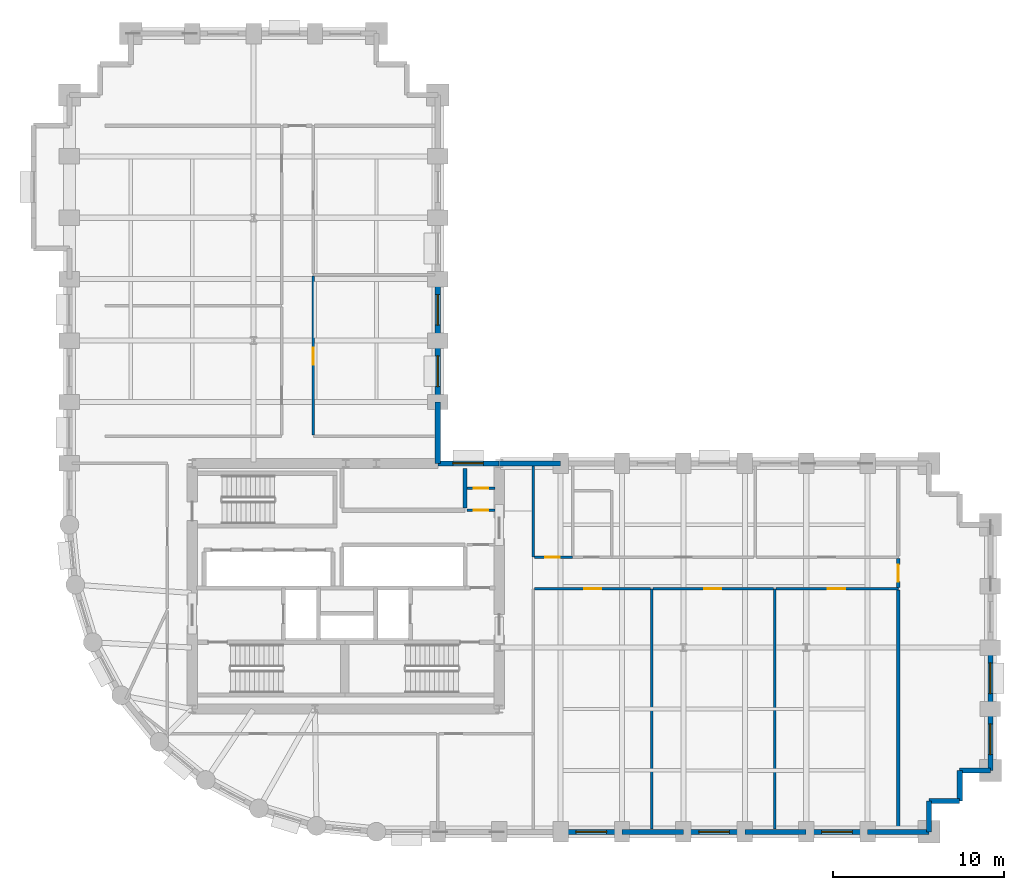
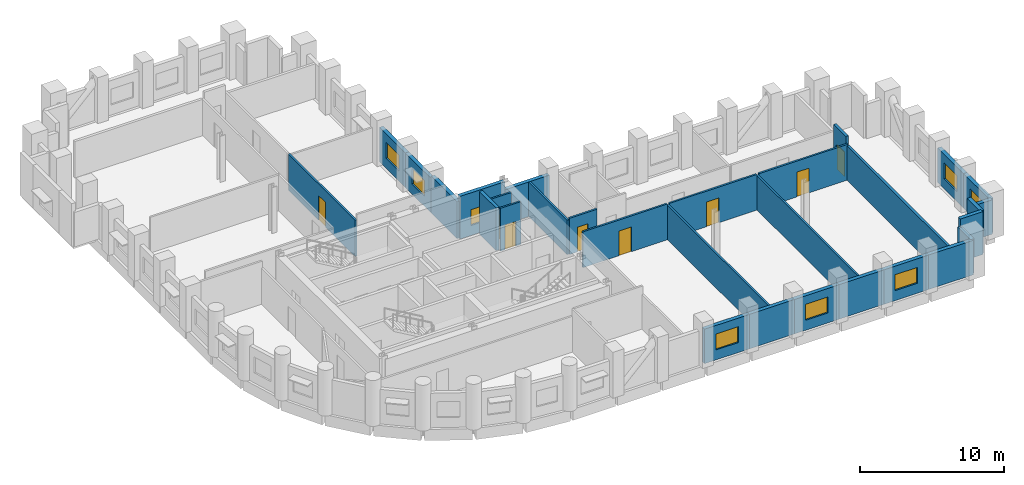
# One storey, part 7 of 11: 30 walls, 8 doors, 8 windows, 16 openings.
"""IFC4 building model written with IfcOpenShell, lengths in metres."""

import ifcopenshell
import ifcopenshell.guid

model = None  # the IFC model being written
_history = None  # IfcOwnerHistory: only IFC2X3 demands one
_inside = {}  # id of a spatial element -> (the spatial element, [elements in it])
_under = {}  # id of a project, library or spatial element -> (it, [spatial elements below it])
_declared = {}  # id of a project -> (the project, [libraries it declares])
_typed = {}  # id of a type object -> (the type object, [elements of that type])
_made_of = {}  # id of a material, layer set ... -> (it, [elements and type objects made of it])


def new_model(schema):
    """Start an empty IFC model of exactly this schema.

    Asked for "IFC4X3", IfcOpenShell would pick the latest addendum, in which some entities
    have other attributes; the version numbers below select the first issue.
    IFC2X3 requires an IfcOwnerHistory on every rooted entity: one is made here for all.
    """
    global model, _history
    if schema == "IFC4X3":
        model = ifcopenshell.file(schema_version=(4, 3, 0, 0))
    else:
        model = ifcopenshell.file(schema=schema)
    _inside.clear()
    _under.clear()
    _declared.clear()
    _typed.clear()
    _made_of.clear()
    _history = None
    if model.schema == "IFC2X3":
        org = make("IfcOrganization", Name="unknown")
        user = make(
            "IfcPersonAndOrganization",
            ThePerson=make("IfcPerson", FamilyName="unknown"),
            TheOrganization=org,
        )
        app = make(
            "IfcApplication",
            ApplicationDeveloper=org,
            Version="unknown",
            ApplicationFullName="unknown",
            ApplicationIdentifier="unknown",
        )
        _history = make(
            "IfcOwnerHistory",
            OwningUser=user,
            OwningApplication=app,
            ChangeAction="ADDED",
            CreationDate=0,
        )
    return model


def make(cls, **values):
    """One entity of the class cls with the attributes given. An attribute that is None is left unset."""
    return model.create_entity(
        cls, **{name: value for name, value in values.items() if value is not None}
    )


def rooted(cls, **values):
    """An entity with a GlobalId (a new one), such as an element, a storey or a relation."""
    return make(cls, GlobalId=ifcopenshell.guid.new(), OwnerHistory=_history, **values)


def si_unit(unit_type, name, prefix=None):
    """IfcSIUnit, for example si_unit("LENGTHUNIT", "METRE", prefix="MILLI")."""
    return make("IfcSIUnit", UnitType=unit_type, Prefix=prefix, Name=name)


def assignment(units):
    """IfcUnitAssignment: the units of a project."""
    return None if units is None else make("IfcUnitAssignment", Units=units)


def point(xyz):
    """IfcCartesianPoint."""
    return None if xyz is None else make("IfcCartesianPoint", Coordinates=xyz)


def direction(xyz):
    """IfcDirection."""
    return None if xyz is None else make("IfcDirection", DirectionRatios=xyz)


def frame(location, z_axis=None, x_axis=None):
    """IfcAxis2Placement3D, a coordinate frame: its origin and axes. An axis left out is left unset."""
    return make(
        "IfcAxis2Placement3D",
        Location=point(location),
        Axis=direction(z_axis),
        RefDirection=direction(x_axis),
    )


def frame_2d(location, x_axis=None):
    """IfcAxis2Placement2D, a coordinate frame in the plane: its origin and x axis."""
    return make(
        "IfcAxis2Placement2D", Location=point(location), RefDirection=direction(x_axis)
    )


def origin():
    """The frame at (0, 0, 0) with its axes left unset."""
    return frame((0.0, 0.0, 0.0))


def place(relative_to, where):
    """IfcLocalPlacement: puts the frame where relative to a parent placement (None: the world)."""
    return make(
        "IfcLocalPlacement", PlacementRelTo=relative_to, RelativePlacement=where
    )


def context(
    kind, dimensions, precision=None, world=None, true_north=None, identifier=None
):
    """IfcGeometricRepresentationContext, for example the 3D "Model" context."""
    return make(
        "IfcGeometricRepresentationContext",
        ContextIdentifier=identifier,
        ContextType=kind,
        CoordinateSpaceDimension=dimensions,
        Precision=precision,
        WorldCoordinateSystem=world,
        TrueNorth=true_north,
    )


def subcontext(parent, identifier, kind, view, scale=None):
    """IfcGeometricRepresentationSubContext, for example "Body" below "Model"."""
    return make(
        "IfcGeometricRepresentationSubContext",
        ContextIdentifier=identifier,
        ContextType=kind,
        ParentContext=parent,
        TargetScale=scale,
        TargetView=view,
    )


def project(units=None, contexts=None):
    """IfcProject with its units and contexts."""
    return rooted(
        "IfcProject",
        Name="project",
        RepresentationContexts=contexts,
        UnitsInContext=assignment(units),
    )


def spatial(cls, under=None, at=None, **own):
    """A site, building, storey or space (cls), placed at a placement, below another one or the project."""
    s = rooted(cls, ObjectPlacement=at, **own)
    if under is not None:
        _under.setdefault(under.id(), (under, []))[1].append(s)
    return s


def profile(cls, at=None, kind="AREA", **sizes):
    """A parametric profile (cls). Its sizes go by their IFC names, for example OverallWidth=200.0."""
    return make(cls, ProfileType=kind, Position=at, **sizes)


def rectangle(**sizes):
    """IfcRectangleProfileDef."""
    return profile("IfcRectangleProfileDef", **sizes)


def extrude(swept, where, along, depth):
    """IfcExtrudedAreaSolid: the profile swept, set in the frame where, extruded along a direction by depth."""
    return make(
        "IfcExtrudedAreaSolid",
        SweptArea=swept,
        Position=where,
        ExtrudedDirection=direction(along),
        Depth=depth,
    )


def shape(context_of_items, identifier, shape_type, items):
    """IfcShapeRepresentation: the items that make up one representation, for example the "Body"."""
    return make(
        "IfcShapeRepresentation",
        ContextOfItems=context_of_items,
        RepresentationIdentifier=identifier,
        RepresentationType=shape_type,
        Items=items,
    )


def material(Name=None, Category=None):
    """IfcMaterial."""
    return make("IfcMaterial", Name=Name, Category=Category)


def layer(
    of_material, thickness, ventilated=None, Name=None, Category=None, Priority=None
):
    """IfcMaterialLayer: one layer of a wall or slab, of a material (None: an air gap)."""
    return make(
        "IfcMaterialLayer",
        Material=of_material,
        LayerThickness=thickness,
        IsVentilated=ventilated,
        Name=Name,
        Category=Category,
        Priority=Priority,
    )


def layer_set(layers, Name=None):
    """IfcMaterialLayerSet."""
    return make("IfcMaterialLayerSet", MaterialLayers=layers, LayerSetName=Name)


def made_of(thing, what):
    """Note that an element or type object is made of a material, layer set ...; save() writes the relation."""
    if what is not None:
        _made_of.setdefault(what.id(), (what, []))[1].append(thing)
    return thing


def type_object(cls, material=None, **own):
    """A type object (cls), such as IfcWallType, which elements share."""
    return made_of(rooted(cls, **own), material)


def element(
    cls,
    number,
    at=None,
    inside=None,
    cuts=None,
    type_object=None,
    material=None,
    context=None,
    identifier="Body",
    shape_type=None,
    held_by="IfcProductDefinitionShape",
    body=None,
    shapes=None,
    **own,
):
    """One element of the class cls, such as IfcWall. Its Tag is "e" and its number.

    at: its placement. inside: the storey or other place that contains it. cuts: it is an
    opening in that element (IfcRelVoidsElement). A single representation is given by context,
    identifier, shape_type and body (its items); several are given by shapes. held_by: the class
    of the entity that holds the representations. save() writes the other relations.
    """
    e = rooted(cls, Tag="e%d" % number, ObjectPlacement=at, **own)
    if body is not None:
        shapes = [shape(context, identifier, shape_type, body)]
    if shapes is not None:
        e.Representation = make(held_by, Representations=shapes)
    if inside is not None:
        _inside.setdefault(inside.id(), (inside, []))[1].append(e)
    if cuts is not None:
        rooted(
            "IfcRelVoidsElement", RelatingBuildingElement=cuts, RelatedOpeningElement=e
        )
    if type_object is not None:
        _typed.setdefault(type_object.id(), (type_object, []))[1].append(e)
    return made_of(e, material)


def fill(opening, filler):
    """IfcRelFillsElement: the door or window that sits in an opening."""
    return rooted(
        "IfcRelFillsElement",
        RelatingOpeningElement=opening,
        RelatedBuildingElement=filler,
    )


def aggregate(whole, parts):
    """IfcRelAggregates: a whole, such as a stair, and the parts it consists of."""
    return rooted("IfcRelAggregates", RelatingObject=whole, RelatedObjects=parts)


def save(model, path):
    """Write the relations noted so far, then the file.

    IfcRelAggregates (storeys below a building ...), IfcRelContainedInSpatialStructure (elements
    in a storey), IfcRelDefinesByType, IfcRelAssociatesMaterial and IfcRelDeclares: one each for
    every whole, place, type object, material and project.
    """
    for whole, parts in _under.values():
        aggregate(whole, parts)
    for where, things in _inside.values():
        rooted(
            "IfcRelContainedInSpatialStructure",
            RelatedElements=things,
            RelatingStructure=where,
        )
    for kind, things in _typed.values():
        rooted("IfcRelDefinesByType", RelatedObjects=things, RelatingType=kind)
    for what, things in _made_of.values():
        rooted("IfcRelAssociatesMaterial", RelatedObjects=things, RelatingMaterial=what)
    for by, libraries in _declared.values():
        rooted("IfcRelDeclares", RelatingContext=by, RelatedDefinitions=libraries)
    model.write(path)


model = new_model("IFC4")

# Units and contexts
model_context = context("Model", 3, precision=1e-05, world=origin(), true_north=direction((0.0, 1.0)))
body_context = subcontext(model_context, "Body", "Model", "MODEL_VIEW")
ifc_project = project(units=[si_unit("LENGTHUNIT", "METRE"), si_unit("AREAUNIT", "SQUARE_METRE"), si_unit("VOLUMEUNIT", "CUBIC_METRE"), si_unit("PLANEANGLEUNIT", "RADIAN"), si_unit("MASSUNIT", "GRAM", prefix="KILO")], contexts=[model_context])

# Site, building, storey
site_placement = place(None, origin())
site = spatial("IfcSite", under=ifc_project, at=site_placement, CompositionType="ELEMENT")
building_placement = place(site_placement, origin())
building = spatial("IfcBuilding", under=site, at=building_placement, Name="Solnavia Interchange Tower", CompositionType="ELEMENT")
storey_placement = place(building_placement, frame((0.0, 0.0, 47.39990234375)))
storey = spatial("IfcBuildingStorey", under=building, at=storey_placement, Name="L11", CompositionType="ELEMENT", Elevation=47.39990234375)

# Wall
ifc_material_1 = material(Name="Gypsum Acoustic Twin-Stud & Mineral Wool", Category="gypsum")
ifc_layer_1 = layer(ifc_material_1, 0.199951171875)
ifc_layer_set_1 = layer_set([ifc_layer_1], Name="Gypsum Acoustic Twin-Stud & Mineral Wool")
wall_type_1 = type_object("IfcWallType", Name="Wall-ApartmentParty-200", PredefinedType="PARTITIONING", material=ifc_layer_set_1)
wall_1_placement = place(storey_placement, frame((55.800048828125, 3.75390625, 0.0), z_axis=(0.0, 0.0, 1.0), x_axis=(0.0, 1.0, 0.0)))
element("IfcWall", 1, at=wall_1_placement, inside=storey, type_object=wall_type_1, Name="PTW-L11-24 Interior partition wall", PredefinedType="PARTITIONING", context=body_context, shape_type="SweptSolid", body=[
    extrude(rectangle(XDim=14.01708984375, YDim=0.199951171875, at=frame_2d((7.008544921875, 0.0))), origin(), (0.0, 0.0, 1.0), 2.93017578125),
])

# Wall, opening, door
wall_2_placement = place(storey_placement, frame((55.800048828125, 17.928955078125, 0.0), z_axis=(0.0, 0.0, 1.0), x_axis=(0.0, 1.0, 0.0)))
wall_2 = element("IfcWall", 2, at=wall_2_placement, inside=storey, type_object=wall_type_1, Name="PTW-L11-26 Interior partition wall", PredefinedType="PARTITIONING", context=body_context, shape_type="SweptSolid", body=[
    extrude(rectangle(XDim=1.692138671875, YDim=0.199951171875, at=frame_2d((0.84619140625, 0.0))), origin(), (0.0, 0.0, 1.0), 3.635009765625),
])
opening_1_placement = place(wall_2_placement, frame((0.339111328125, 0.0, 0.0)))
opening_1 = element("IfcOpeningElement", 3, at=opening_1_placement, cuts=wall_2, Name="Opening DR-06", PredefinedType="OPENING", context=body_context, shape_type="SweptSolid", body=[
    extrude(rectangle(XDim=1.0, YDim=2.10009765625, at=frame_2d((0.5, 1.050048828125))), frame((0.0, 0.10986328125, 0.0), z_axis=(0.0, -1.0, 0.0), x_axis=(1.0, 0.0, 0.0)), (0.0, 0.0, 1.0), 0.219970703125),
])
ifc_material_2 = material(Name="Engineered Timber Acoustic Fire Door", Category="wood")
door_type_1 = type_object("IfcDoorType", Name="Door-FlatEntry-1000x2100", OperationType="SINGLE_SWING_LEFT", PredefinedType="DOOR", material=ifc_material_2)
door_1_placement = place(opening_1_placement, origin())
door_1 = element("IfcDoor", 4, at=door_1_placement, inside=storey, type_object=door_type_1, Name="DR-L11-12 Interior room door", OperationType="SINGLE_SWING_RIGHT", OverallHeight=2.10009765625, OverallWidth=1.0, PredefinedType="DOOR", context=body_context, shape_type="SweptSolid", body=[
    extrude(rectangle(XDim=1.0, YDim=2.10009765625, at=frame_2d((0.5, 1.050048828125))), frame((0.0, 0.02490234375, 0.0), z_axis=(0.0, -1.0, 0.0), x_axis=(1.0, 0.0, 0.0)), (0.0, 0.0, 1.0), 0.050048828125),
])
fill(opening_1, door_1)

# Wall, opening, window
ifc_material_3 = material(Name="Concrete C40/50", Category="concrete")
ifc_layer_2 = layer(ifc_material_3, 0.300048828125)
ifc_layer_set_2 = layer_set([ifc_layer_2], Name="Concrete C40/50")
wall_type_2 = type_object("IfcWallType", Name="Wall-ExtSpandrel-300", PredefinedType="STANDARD", material=ifc_layer_set_2)
wall_3_placement = place(storey_placement, frame((39.60009765625, 3.60009765625, 0.0), z_axis=(0.0, 0.0, 1.0), x_axis=(-1.0, 0.0, 0.0)))
wall_3 = element("IfcWall", 5, at=wall_3_placement, inside=storey, type_object=wall_type_2, Name="EXW-L11-04 Exterior precast spandrel wall", PredefinedType="STANDARD", context=body_context, shape_type="SweptSolid", body=[
    extrude(rectangle(XDim=3.60009765625, YDim=0.300048828125, at=frame_2d((1.800048828125, 0.0))), origin(), (0.0, 0.0, 1.0), 2.93017578125),
])
opening_2_placement = place(wall_3_placement, frame((0.89990234375, 0.0, 0.85009765625)))
opening_2 = element("IfcOpeningElement", 6, at=opening_2_placement, cuts=wall_3, Name="Opening WIN-02", PredefinedType="OPENING", context=body_context, shape_type="SweptSolid", body=[
    extrude(rectangle(XDim=1.800048828125, YDim=1.35009765625, at=frame_2d((0.89990234375, 0.675048828125))), frame((0.0, 0.16015625, 0.0), z_axis=(0.0, -1.0, 0.0), x_axis=(1.0, 0.0, 0.0)), (0.0, 0.0, 1.0), 0.320068359375),
])
ifc_material_4 = material(Name="Thermal-Break Aluminium & Low-E Glass", Category="aluminium")
window_type = type_object("IfcWindowType", Name="Window-Ribbon-1800x1350", PartitioningType="SINGLE_PANEL", PredefinedType="WINDOW", material=ifc_material_4)
window_1_placement = place(opening_2_placement, origin())
window_1 = element("IfcWindow", 7, at=window_1_placement, inside=storey, type_object=window_type, Name="WIN-L11-04 Facade ribbon window", OverallHeight=1.35009765625, OverallWidth=1.800048828125, PartitioningType="SINGLE_PANEL", PredefinedType="WINDOW", context=body_context, shape_type="SweptSolid", body=[
    extrude(rectangle(XDim=1.800048828125, YDim=1.35009765625, at=frame_2d((0.89990234375, 0.675048828125))), frame((0.0, 0.030029296875, 0.0), z_axis=(0.0, -1.0, 0.0), x_axis=(1.0, 0.0, 0.0)), (0.0, 0.0, 1.0), 0.06005859375),
])
fill(opening_2, window_1)

# Wall
wall_4_placement = place(storey_placement, frame((43.199951171875, 3.60009765625, 0.0), z_axis=(0.0, 0.0, 1.0), x_axis=(-1.0, 0.0, 0.0)))
element("IfcWall", 8, at=wall_4_placement, inside=storey, type_object=wall_type_2, Name="EXW-L11-05 Exterior precast spandrel wall", PredefinedType="STANDARD", context=body_context, shape_type="SweptSolid", body=[
    extrude(rectangle(XDim=3.599853515625, YDim=0.300048828125, at=frame_2d((1.7998046875, 0.0))), origin(), (0.0, 0.0, 1.0), 2.93017578125),
])

# Wall, opening, window
wall_5_placement = place(storey_placement, frame((46.800048828125, 3.60009765625, 0.0), z_axis=(0.0, 0.0, 1.0), x_axis=(-1.0, 0.0, 0.0)))
wall_5 = element("IfcWall", 9, at=wall_5_placement, inside=storey, type_object=wall_type_2, Name="EXW-L11-06 Exterior precast spandrel wall", PredefinedType="STANDARD", context=body_context, shape_type="SweptSolid", body=[
    extrude(rectangle(XDim=3.60009765625, YDim=0.300048828125, at=frame_2d((1.800048828125, 0.0))), origin(), (0.0, 0.0, 1.0), 2.93017578125),
])
opening_3_placement = place(wall_5_placement, frame((0.89990234375, 0.0, 0.85009765625)))
opening_3 = element("IfcOpeningElement", 10, at=opening_3_placement, cuts=wall_5, Name="Opening WIN-02", PredefinedType="OPENING", context=body_context, shape_type="SweptSolid", body=[
    extrude(rectangle(XDim=1.800048828125, YDim=1.35009765625, at=frame_2d((0.89990234375, 0.675048828125))), frame((0.0, 0.16015625, 0.0), z_axis=(0.0, -1.0, 0.0), x_axis=(1.0, 0.0, 0.0)), (0.0, 0.0, 1.0), 0.320068359375),
])
window_2_placement = place(opening_3_placement, origin())
window_2 = element("IfcWindow", 11, at=window_2_placement, inside=storey, type_object=window_type, Name="WIN-L11-06 Facade ribbon window", OverallHeight=1.35009765625, OverallWidth=1.800048828125, PartitioningType="SINGLE_PANEL", PredefinedType="WINDOW", context=body_context, shape_type="SweptSolid", body=[
    extrude(rectangle(XDim=1.800048828125, YDim=1.35009765625, at=frame_2d((0.89990234375, 0.675048828125))), frame((0.0, 0.030029296875, 0.0), z_axis=(0.0, -1.0, 0.0), x_axis=(1.0, 0.0, 0.0)), (0.0, 0.0, 1.0), 0.06005859375),
])
fill(opening_3, window_2)

# Wall
wall_6_placement = place(storey_placement, frame((50.39990234375, 3.60009765625, 0.0), z_axis=(0.0, 0.0, 1.0), x_axis=(-1.0, 0.0, 0.0)))
element("IfcWall", 12, at=wall_6_placement, inside=storey, type_object=wall_type_2, Name="EXW-L11-07 Exterior precast spandrel wall", PredefinedType="STANDARD", context=body_context, shape_type="SweptSolid", body=[
    extrude(rectangle(XDim=3.599853515625, YDim=0.300048828125, at=frame_2d((1.7998046875, 0.0))), origin(), (0.0, 0.0, 1.0), 2.93017578125),
])

# Wall, opening, window
wall_7_placement = place(storey_placement, frame((54.0, 3.60009765625, 0.0), z_axis=(0.0, 0.0, 1.0), x_axis=(-1.0, 0.0, 0.0)))
wall_7 = element("IfcWall", 13, at=wall_7_placement, inside=storey, type_object=wall_type_2, Name="EXW-L11-08 Exterior precast spandrel wall", PredefinedType="STANDARD", context=body_context, shape_type="SweptSolid", body=[
    extrude(rectangle(XDim=3.60009765625, YDim=0.300048828125, at=frame_2d((1.800048828125, 0.0))), origin(), (0.0, 0.0, 1.0), 2.93017578125),
])
opening_4_placement = place(wall_7_placement, frame((0.89990234375, 0.0, 0.85009765625)))
opening_4 = element("IfcOpeningElement", 14, at=opening_4_placement, cuts=wall_7, Name="Opening WIN-02", PredefinedType="OPENING", context=body_context, shape_type="SweptSolid", body=[
    extrude(rectangle(XDim=1.800048828125, YDim=1.35009765625, at=frame_2d((0.89990234375, 0.675048828125))), frame((0.0, 0.16015625, 0.0), z_axis=(0.0, -1.0, 0.0), x_axis=(1.0, 0.0, 0.0)), (0.0, 0.0, 1.0), 0.320068359375),
])
window_3_placement = place(opening_4_placement, origin())
window_3 = element("IfcWindow", 15, at=window_3_placement, inside=storey, type_object=window_type, Name="WIN-L11-08 Facade ribbon window", OverallHeight=1.35009765625, OverallWidth=1.800048828125, PartitioningType="SINGLE_PANEL", PredefinedType="WINDOW", context=body_context, shape_type="SweptSolid", body=[
    extrude(rectangle(XDim=1.800048828125, YDim=1.35009765625, at=frame_2d((0.89990234375, 0.675048828125))), frame((0.0, 0.030029296875, 0.0), z_axis=(0.0, -1.0, 0.0), x_axis=(1.0, 0.0, 0.0)), (0.0, 0.0, 1.0), 0.06005859375),
])
fill(opening_4, window_3)

# Walls
wall_8_placement = place(storey_placement, frame((57.60009765625, 3.60009765625, 0.0), z_axis=(0.0, 0.0, 1.0), x_axis=(-1.0, 0.0, 0.0)))
element("IfcWall", 16, at=wall_8_placement, inside=storey, type_object=wall_type_2, Name="EXW-L11-09 Exterior precast spandrel wall", PredefinedType="STANDARD", context=body_context, shape_type="SweptSolid", body=[
    extrude(rectangle(XDim=3.60009765625, YDim=0.300048828125, at=frame_2d((1.800048828125, 0.0))), origin(), (0.0, 0.0, 1.0), 2.93017578125),
])
wall_9_placement = place(storey_placement, frame((57.60009765625, 5.39990234375, 0.0), z_axis=(0.0, 0.0, 1.0), x_axis=(0.0, -1.0, 0.0)))
element("IfcWall", 17, at=wall_9_placement, inside=storey, type_object=wall_type_2, Name="EXW-L11-10 Exterior precast spandrel wall", PredefinedType="STANDARD", context=body_context, shape_type="SweptSolid", body=[
    extrude(rectangle(XDim=1.7998046875, YDim=0.300048828125, at=frame_2d((0.89990234375, 0.0))), origin(), (0.0, 0.0, 1.0), 2.93017578125),
])
wall_10_placement = place(storey_placement, frame((59.39990234375, 5.39990234375, 0.0), z_axis=(0.0, 0.0, 1.0), x_axis=(-1.0, 0.0, 0.0)))
element("IfcWall", 18, at=wall_10_placement, inside=storey, type_object=wall_type_2, Name="EXW-L11-11 Exterior precast spandrel wall", PredefinedType="STANDARD", context=body_context, shape_type="SweptSolid", body=[
    extrude(rectangle(XDim=1.7998046875, YDim=0.300048828125, at=frame_2d((0.89990234375, 0.0))), origin(), (0.0, 0.0, 1.0), 3.635009765625),
])
wall_11_placement = place(storey_placement, frame((59.39990234375, 7.199951171875, 0.0), z_axis=(0.0, 0.0, 1.0), x_axis=(0.0, -1.0, 0.0)))
element("IfcWall", 19, at=wall_11_placement, inside=storey, type_object=wall_type_2, Name="EXW-L11-12 Exterior precast spandrel wall", PredefinedType="STANDARD", context=body_context, shape_type="SweptSolid", body=[
    extrude(rectangle(XDim=1.800048828125, YDim=0.300048828125, at=frame_2d((0.89990234375, 0.0))), origin(), (0.0, 0.0, 1.0), 3.635009765625),
])
wall_12_placement = place(storey_placement, frame((61.199951171875, 7.199951171875, 0.0), z_axis=(0.0, 0.0, 1.0), x_axis=(-1.0, 0.0, 0.0)))
element("IfcWall", 20, at=wall_12_placement, inside=storey, type_object=wall_type_2, Name="EXW-L11-13 Exterior precast spandrel wall", PredefinedType="STANDARD", context=body_context, shape_type="SweptSolid", body=[
    extrude(rectangle(XDim=1.800048828125, YDim=0.300048828125, at=frame_2d((0.89990234375, 0.0))), origin(), (0.0, 0.0, 1.0), 2.93017578125),
])

# Wall, opening, window
wall_13_placement = place(storey_placement, frame((61.199951171875, 10.800048828125, 0.0), z_axis=(0.0, 0.0, 1.0), x_axis=(0.0, -1.0, 0.0)))
wall_13 = element("IfcWall", 21, at=wall_13_placement, inside=storey, type_object=wall_type_2, Name="EXW-L11-14 Exterior precast spandrel wall", PredefinedType="STANDARD", context=body_context, shape_type="SweptSolid", body=[
    extrude(rectangle(XDim=3.60009765625, YDim=0.300048828125, at=frame_2d((1.800048828125, 0.0))), origin(), (0.0, 0.0, 1.0), 2.93017578125),
])
opening_5_placement = place(wall_13_placement, frame((0.875, 0.0, 0.85009765625)))
opening_5 = element("IfcOpeningElement", 22, at=opening_5_placement, cuts=wall_13, Name="Opening WIN-02", PredefinedType="OPENING", context=body_context, shape_type="SweptSolid", body=[
    extrude(rectangle(XDim=1.800048828125, YDim=1.35009765625, at=frame_2d((0.89990234375, 0.675048828125))), frame((0.0, 0.16015625, 0.0), z_axis=(0.0, -1.0, 0.0), x_axis=(1.0, 0.0, 0.0)), (0.0, 0.0, 1.0), 0.320068359375),
])
window_4_placement = place(opening_5_placement, origin())
window_4 = element("IfcWindow", 23, at=window_4_placement, inside=storey, type_object=window_type, Name="WIN-L11-14 Facade ribbon window", OverallHeight=1.35009765625, OverallWidth=1.800048828125, PartitioningType="SINGLE_PANEL", PredefinedType="WINDOW", context=body_context, shape_type="SweptSolid", body=[
    extrude(rectangle(XDim=1.800048828125, YDim=1.35009765625, at=frame_2d((0.89990234375, 0.675048828125))), frame((0.0, 0.030029296875, 0.0), z_axis=(0.0, -1.0, 0.0), x_axis=(1.0, 0.0, 0.0)), (0.0, 0.0, 1.0), 0.06005859375),
])
fill(opening_5, window_4)

wall_14_placement = place(storey_placement, frame((61.199951171875, 14.39990234375, 0.0), z_axis=(0.0, 0.0, 1.0), x_axis=(0.0, -1.0, 0.0)))
wall_14 = element("IfcWall", 24, at=wall_14_placement, inside=storey, type_object=wall_type_2, Name="EXW-L11-15 Exterior precast spandrel wall", PredefinedType="STANDARD", context=body_context, shape_type="SweptSolid", body=[
    extrude(rectangle(XDim=3.599853515625, YDim=0.300048828125, at=frame_2d((1.7998046875, 0.0))), origin(), (0.0, 0.0, 1.0), 2.93017578125),
])
opening_6_placement = place(wall_14_placement, frame((0.89990234375, 0.0, 0.85009765625)))
opening_6 = element("IfcOpeningElement", 25, at=opening_6_placement, cuts=wall_14, Name="Opening WIN-02", PredefinedType="OPENING", context=body_context, shape_type="SweptSolid", body=[
    extrude(rectangle(XDim=1.800048828125, YDim=1.35009765625, at=frame_2d((0.89990234375, 0.675048828125))), frame((0.0, 0.16015625, 0.0), z_axis=(0.0, -1.0, 0.0), x_axis=(1.0, 0.0, 0.0)), (0.0, 0.0, 1.0), 0.320068359375),
])
window_5_placement = place(opening_6_placement, origin())
window_5 = element("IfcWindow", 26, at=window_5_placement, inside=storey, type_object=window_type, Name="WIN-L11-15 Facade ribbon window", OverallHeight=1.35009765625, OverallWidth=1.800048828125, PartitioningType="SINGLE_PANEL", PredefinedType="WINDOW", context=body_context, shape_type="SweptSolid", body=[
    extrude(rectangle(XDim=1.800048828125, YDim=1.35009765625, at=frame_2d((0.89990234375, 0.675048828125))), frame((0.0, 0.030029296875, 0.0), z_axis=(0.0, -1.0, 0.0), x_axis=(1.0, 0.0, 0.0)), (0.0, 0.0, 1.0), 0.06005859375),
])
fill(opening_6, window_5)

# Wall
wall_15_placement = place(storey_placement, frame((32.39990234375, 25.199951171875, 0.0), z_axis=(0.0, 0.0, 1.0), x_axis=(1.0, 0.0, 0.0)))
element("IfcWall", 27, at=wall_15_placement, inside=storey, type_object=wall_type_2, Name="EXW-L11-28 Exterior precast spandrel wall", PredefinedType="STANDARD", context=body_context, shape_type="SweptSolid", body=[
    extrude(rectangle(XDim=3.60009765625, YDim=0.300048828125, at=frame_2d((1.800048828125, 0.0))), origin(), (0.0, 0.0, 1.0), 2.93017578125),
])

# Wall, opening, window
wall_16_placement = place(storey_placement, frame((28.800048828125, 25.199951171875, 0.0), z_axis=(0.0, 0.0, 1.0), x_axis=(1.0, 0.0, 0.0)))
wall_16 = element("IfcWall", 28, at=wall_16_placement, inside=storey, type_object=wall_type_2, Name="EXW-L11-29 Exterior precast spandrel wall", PredefinedType="STANDARD", context=body_context, shape_type="SweptSolid", body=[
    extrude(rectangle(XDim=3.599853515625, YDim=0.300048828125, at=frame_2d((1.7998046875, 0.0))), origin(), (0.0, 0.0, 1.0), 3.635009765625),
])
opening_7_placement = place(wall_16_placement, frame((0.8779296875, 0.0, 0.85009765625)))
opening_7 = element("IfcOpeningElement", 29, at=opening_7_placement, cuts=wall_16, Name="Opening WIN-02", PredefinedType="OPENING", context=body_context, shape_type="SweptSolid", body=[
    extrude(rectangle(XDim=1.800048828125, YDim=1.35009765625, at=frame_2d((0.89990234375, 0.675048828125))), frame((0.0, 0.16015625, 0.0), z_axis=(0.0, -1.0, 0.0), x_axis=(1.0, 0.0, 0.0)), (0.0, 0.0, 1.0), 0.320068359375),
])
window_6_placement = place(opening_7_placement, origin())
window_6 = element("IfcWindow", 30, at=window_6_placement, inside=storey, type_object=window_type, Name="WIN-L11-29 Facade ribbon window", OverallHeight=1.35009765625, OverallWidth=1.800048828125, PartitioningType="SINGLE_PANEL", PredefinedType="WINDOW", context=body_context, shape_type="SweptSolid", body=[
    extrude(rectangle(XDim=1.800048828125, YDim=1.35009765625, at=frame_2d((0.89990234375, 0.675048828125))), frame((0.0, 0.030029296875, 0.0), z_axis=(0.0, -1.0, 0.0), x_axis=(1.0, 0.0, 0.0)), (0.0, 0.0, 1.0), 0.06005859375),
])
fill(opening_7, window_6)

# Wall
wall_17_placement = place(storey_placement, frame((28.800048828125, 25.199951171875, 0.0), z_axis=(0.0, 0.0, 1.0), x_axis=(0.0, 1.0, 0.0)))
element("IfcWall", 31, at=wall_17_placement, inside=storey, type_object=wall_type_2, Name="EXW-L11-30 Exterior precast spandrel wall", PredefinedType="STANDARD", context=body_context, shape_type="SweptSolid", body=[
    extrude(rectangle(XDim=3.60009765625, YDim=0.300048828125, at=frame_2d((1.800048828125, 0.0))), origin(), (0.0, 0.0, 1.0), 3.14013671875),
])

# Wall, opening, window
wall_18_placement = place(storey_placement, frame((28.800048828125, 28.800048828125, 0.0), z_axis=(0.0, 0.0, 1.0), x_axis=(0.0, 1.0, 0.0)))
wall_18 = element("IfcWall", 32, at=wall_18_placement, inside=storey, type_object=wall_type_2, Name="EXW-L11-31 Exterior precast spandrel wall", PredefinedType="STANDARD", context=body_context, shape_type="SweptSolid", body=[
    extrude(rectangle(XDim=3.599853515625, YDim=0.300048828125, at=frame_2d((1.7998046875, 0.0))), origin(), (0.0, 0.0, 1.0), 2.93017578125),
])
opening_8_placement = place(wall_18_placement, frame((0.89990234375, 0.0, 0.85009765625)))
opening_8 = element("IfcOpeningElement", 33, at=opening_8_placement, cuts=wall_18, Name="Opening WIN-02", PredefinedType="OPENING", context=body_context, shape_type="SweptSolid", body=[
    extrude(rectangle(XDim=1.800048828125, YDim=1.35009765625, at=frame_2d((0.89990234375, 0.675048828125))), frame((0.0, 0.16015625, 0.0), z_axis=(0.0, -1.0, 0.0), x_axis=(1.0, 0.0, 0.0)), (0.0, 0.0, 1.0), 0.320068359375),
])
window_7_placement = place(opening_8_placement, origin())
window_7 = element("IfcWindow", 34, at=window_7_placement, inside=storey, type_object=window_type, Name="WIN-L11-31 Facade ribbon window", OverallHeight=1.35009765625, OverallWidth=1.800048828125, PartitioningType="SINGLE_PANEL", PredefinedType="WINDOW", context=body_context, shape_type="SweptSolid", body=[
    extrude(rectangle(XDim=1.800048828125, YDim=1.35009765625, at=frame_2d((0.89990234375, 0.675048828125))), frame((0.0, 0.030029296875, 0.0), z_axis=(0.0, -1.0, 0.0), x_axis=(1.0, 0.0, 0.0)), (0.0, 0.0, 1.0), 0.06005859375),
])
fill(opening_8, window_7)

wall_19_placement = place(storey_placement, frame((28.800048828125, 32.39990234375, 0.0), z_axis=(0.0, 0.0, 1.0), x_axis=(0.0, 1.0, 0.0)))
wall_19 = element("IfcWall", 35, at=wall_19_placement, inside=storey, type_object=wall_type_2, Name="EXW-L11-32 Exterior precast spandrel wall", PredefinedType="STANDARD", context=body_context, shape_type="SweptSolid", body=[
    extrude(rectangle(XDim=3.60009765625, YDim=0.300048828125, at=frame_2d((1.800048828125, 0.0))), origin(), (0.0, 0.0, 1.0), 2.93017578125),
])
opening_9_placement = place(wall_19_placement, frame((0.89990234375, 0.0, 0.85009765625)))
opening_9 = element("IfcOpeningElement", 36, at=opening_9_placement, cuts=wall_19, Name="Opening WIN-02", PredefinedType="OPENING", context=body_context, shape_type="SweptSolid", body=[
    extrude(rectangle(XDim=1.800048828125, YDim=1.35009765625, at=frame_2d((0.89990234375, 0.675048828125))), frame((0.0, 0.16015625, 0.0), z_axis=(0.0, -1.0, 0.0), x_axis=(1.0, 0.0, 0.0)), (0.0, 0.0, 1.0), 0.320068359375),
])
window_8_placement = place(opening_9_placement, origin())
window_8 = element("IfcWindow", 37, at=window_8_placement, inside=storey, type_object=window_type, Name="WIN-L11-32 Facade ribbon window", OverallHeight=1.35009765625, OverallWidth=1.800048828125, PartitioningType="SINGLE_PANEL", PredefinedType="WINDOW", context=body_context, shape_type="SweptSolid", body=[
    extrude(rectangle(XDim=1.800048828125, YDim=1.35009765625, at=frame_2d((0.89990234375, 0.675048828125))), frame((0.0, 0.030029296875, 0.0), z_axis=(0.0, -1.0, 0.0), x_axis=(1.0, 0.0, 0.0)), (0.0, 0.0, 1.0), 0.06005859375),
])
fill(opening_9, window_8)

# Wall, opening, door
ifc_material_5 = material(Name="Gypsum Plasterboard & Steel Stud", Category="steel")
ifc_layer_3 = layer(ifc_material_5, 0.14990234375)
ifc_layer_set_3 = layer_set([ifc_layer_3], Name="Gypsum Plasterboard & Steel Stud")
wall_type_3 = type_object("IfcWallType", Name="Wall-Partition-150", PredefinedType="PARTITIONING", material=ifc_layer_set_3)
wall_20_placement = place(storey_placement, frame((30.52001953125, 22.4599609375, 0.0), z_axis=(0.0, 0.0, 1.0), x_axis=(1.0, 0.0, 0.0)))
wall_20 = element("IfcWall", 38, at=wall_20_placement, inside=storey, type_object=wall_type_3, Name="CSW-L11-NE-S Core shaft wall", PredefinedType="PARTITIONING", context=body_context, shape_type="SweptSolid", body=[
    extrude(rectangle(XDim=1.6298828125, YDim=0.14990234375, at=frame_2d((0.81494140625, 0.0))), origin(), (0.0, 0.0, 1.0), 3.635009765625),
])
opening_10_placement = place(wall_20_placement, frame((0.3798828125, 0.0, 0.0)))
opening_10 = element("IfcOpeningElement", 39, at=opening_10_placement, cuts=wall_20, Name="Opening DR-10", PredefinedType="OPENING", context=body_context, shape_type="SweptSolid", body=[
    extrude(rectangle(XDim=0.85009765625, YDim=2.10009765625, at=frame_2d((0.425048828125, 1.050048828125))), frame((0.0, 0.0849609375, 0.0), z_axis=(0.0, -1.0, 0.0), x_axis=(1.0, 0.0, 0.0)), (0.0, 0.0, 1.0), 0.169921875),
])
ifc_material_6 = material(Name="Moisture-Resistant Timber Door", Category="wood")
door_type_2 = type_object("IfcDoorType", Name="Door-Bathroom-850x2100", OperationType="SINGLE_SWING_RIGHT", PredefinedType="DOOR", material=ifc_material_6)
door_2_placement = place(opening_10_placement, origin())
door_2 = element("IfcDoor", 40, at=door_2_placement, inside=storey, type_object=door_type_2, Name="DR-L11-CNE1 Core fire door", OperationType="SINGLE_SWING_RIGHT", OverallHeight=2.10009765625, OverallWidth=0.85009765625, PredefinedType="DOOR", context=body_context, shape_type="SweptSolid", body=[
    extrude(rectangle(XDim=0.85009765625, YDim=2.10009765625, at=frame_2d((0.425048828125, 1.050048828125))), frame((0.0, 0.02490234375, 0.0), z_axis=(0.0, -1.0, 0.0), x_axis=(1.0, 0.0, 0.0)), (0.0, 0.0, 1.0), 0.050048828125),
])
fill(opening_10, door_2)

wall_21_placement = place(storey_placement, frame((30.52001953125, 23.75, 0.0), z_axis=(0.0, 0.0, 1.0), x_axis=(1.0, 0.0, 0.0)))
wall_21 = element("IfcWall", 41, at=wall_21_placement, inside=storey, type_object=wall_type_3, Name="CSW-L11-NE-M Core shaft wall", PredefinedType="PARTITIONING", context=body_context, shape_type="SweptSolid", body=[
    extrude(rectangle(XDim=1.6298828125, YDim=0.14990234375, at=frame_2d((0.81494140625, 0.0))), origin(), (0.0, 0.0, 1.0), 3.635009765625),
])
opening_11_placement = place(wall_21_placement, frame((0.3798828125, 0.0, 0.0)))
opening_11 = element("IfcOpeningElement", 42, at=opening_11_placement, cuts=wall_21, Name="Opening DR-10", PredefinedType="OPENING", context=body_context, shape_type="SweptSolid", body=[
    extrude(rectangle(XDim=0.85009765625, YDim=2.10009765625, at=frame_2d((0.425048828125, 1.050048828125))), frame((0.0, 0.0849609375, 0.0), z_axis=(0.0, -1.0, 0.0), x_axis=(1.0, 0.0, 0.0)), (0.0, 0.0, 1.0), 0.169921875),
])
door_3_placement = place(opening_11_placement, origin())
door_3 = element("IfcDoor", 43, at=door_3_placement, inside=storey, type_object=door_type_2, Name="DR-L11-CNE2 Core fire door", OperationType="SINGLE_SWING_LEFT", OverallHeight=2.10009765625, OverallWidth=0.85009765625, PredefinedType="DOOR", context=body_context, shape_type="SweptSolid", body=[
    extrude(rectangle(XDim=0.85009765625, YDim=2.10009765625, at=frame_2d((0.425048828125, 1.050048828125))), frame((0.0, 0.02490234375, 0.0), z_axis=(0.0, -1.0, 0.0), x_axis=(1.0, 0.0, 0.0)), (0.0, 0.0, 1.0), 0.050048828125),
])
fill(opening_11, door_3)

# Wall
wall_22_placement = place(storey_placement, frame((41.35009765625, 3.75390625, 0.0), z_axis=(0.0, 0.0, 1.0), x_axis=(0.0, 1.0, 0.0)))
element("IfcWall", 44, at=wall_22_placement, inside=storey, type_object=wall_type_3, Name="PTW-L11-16 Interior partition wall", PredefinedType="PARTITIONING", context=body_context, shape_type="SweptSolid", body=[
    extrude(rectangle(XDim=14.09619140625, YDim=0.14990234375, at=frame_2d((7.048095703125, 0.0))), origin(), (0.0, 0.0, 1.0), 2.93017578125),
])

# Wall, opening, door
wall_23_placement = place(storey_placement, frame((34.47900390625, 17.85009765625, 0.0), z_axis=(0.0, 0.0, 1.0), x_axis=(1.0, 0.0, 0.0)))
wall_23 = element("IfcWall", 45, at=wall_23_placement, inside=storey, type_object=wall_type_3, Name="PTW-L11-17 Interior partition wall", PredefinedType="PARTITIONING", context=body_context, shape_type="SweptSolid", body=[
    extrude(rectangle(XDim=6.7919921875, YDim=0.14990234375, at=frame_2d((3.39599609375, 0.0))), origin(), (0.0, 0.0, 1.0), 3.0400390625),
])
opening_12_placement = place(wall_23_placement, frame((2.89599609375, 0.0, 0.0)))
opening_12 = element("IfcOpeningElement", 46, at=opening_12_placement, cuts=wall_23, Name="Opening DR-07", PredefinedType="OPENING", context=body_context, shape_type="SweptSolid", body=[
    extrude(rectangle(XDim=1.0, YDim=2.10009765625, at=frame_2d((0.5, 1.050048828125))), frame((0.0, 0.0849609375, 0.0), z_axis=(0.0, -1.0, 0.0), x_axis=(1.0, 0.0, 0.0)), (0.0, 0.0, 1.0), 0.169921875),
])
ifc_material_7 = material(Name="Timber & Acoustic Glazed Office Door", Category="wood")
door_type_3 = type_object("IfcDoorType", Name="Door-Office-1000x2100", OperationType="SINGLE_SWING_RIGHT", PredefinedType="DOOR", material=ifc_material_7)
door_4_placement = place(opening_12_placement, origin())
door_4 = element("IfcDoor", 47, at=door_4_placement, inside=storey, type_object=door_type_3, Name="DR-L11-07 Interior room door", OperationType="SINGLE_SWING_LEFT", OverallHeight=2.10009765625, OverallWidth=1.0, PredefinedType="DOOR", context=body_context, shape_type="SweptSolid", body=[
    extrude(rectangle(XDim=1.0, YDim=2.10009765625, at=frame_2d((0.5, 1.050048828125))), frame((0.0, 0.02490234375, 0.0), z_axis=(0.0, -1.0, 0.0), x_axis=(1.0, 0.0, 0.0)), (0.0, 0.0, 1.0), 0.050048828125),
])
fill(opening_12, door_4)

# Wall
wall_24_placement = place(storey_placement, frame((48.550048828125, 3.75390625, 0.0), z_axis=(0.0, 0.0, 1.0), x_axis=(0.0, 1.0, 0.0)))
element("IfcWall", 48, at=wall_24_placement, inside=storey, type_object=wall_type_3, Name="PTW-L11-18 Interior partition wall", PredefinedType="PARTITIONING", context=body_context, shape_type="SweptSolid", body=[
    extrude(rectangle(XDim=14.09619140625, YDim=0.14990234375, at=frame_2d((7.048095703125, 0.0))), origin(), (0.0, 0.0, 1.0), 2.93017578125),
])

# Wall, opening, door
wall_25_placement = place(storey_placement, frame((41.428955078125, 17.85009765625, 0.0), z_axis=(0.0, 0.0, 1.0), x_axis=(1.0, 0.0, 0.0)))
wall_25 = element("IfcWall", 49, at=wall_25_placement, inside=storey, type_object=wall_type_3, Name="PTW-L11-19 Interior partition wall", PredefinedType="PARTITIONING", context=body_context, shape_type="SweptSolid", body=[
    extrude(rectangle(XDim=7.0419921875, YDim=0.14990234375, at=frame_2d((3.52099609375, 0.0))), origin(), (0.0, 0.0, 1.0), 3.030029296875),
])
opening_13_placement = place(wall_25_placement, frame((2.98095703125, 0.0, 0.0)))
opening_13 = element("IfcOpeningElement", 50, at=opening_13_placement, cuts=wall_25, Name="Opening DR-07", PredefinedType="OPENING", context=body_context, shape_type="SweptSolid", body=[
    extrude(rectangle(XDim=1.0, YDim=2.10009765625, at=frame_2d((0.5, 1.050048828125))), frame((0.0, 0.0849609375, 0.0), z_axis=(0.0, -1.0, 0.0), x_axis=(1.0, 0.0, 0.0)), (0.0, 0.0, 1.0), 0.169921875),
])
door_5_placement = place(opening_13_placement, origin())
door_5 = element("IfcDoor", 51, at=door_5_placement, inside=storey, type_object=door_type_3, Name="DR-L11-08 Interior room door", OperationType="SINGLE_SWING_RIGHT", OverallHeight=2.10009765625, OverallWidth=1.0, PredefinedType="DOOR", context=body_context, shape_type="SweptSolid", body=[
    extrude(rectangle(XDim=1.0, YDim=2.10009765625, at=frame_2d((0.5, 1.050048828125))), frame((0.0, 0.02490234375, 0.0), z_axis=(0.0, -1.0, 0.0), x_axis=(1.0, 0.0, 0.0)), (0.0, 0.0, 1.0), 0.050048828125),
])
fill(opening_13, door_5)

wall_26_placement = place(storey_placement, frame((48.62890625, 17.85009765625, 0.0), z_axis=(0.0, 0.0, 1.0), x_axis=(1.0, 0.0, 0.0)))
wall_26 = element("IfcWall", 52, at=wall_26_placement, inside=storey, type_object=wall_type_3, Name="PTW-L11-20 Interior partition wall", PredefinedType="PARTITIONING", context=body_context, shape_type="SweptSolid", body=[
    extrude(rectangle(XDim=7.171142578125, YDim=0.14990234375, at=frame_2d((3.58544921875, 0.0))), origin(), (0.0, 0.0, 1.0), 3.0400390625),
])
opening_14_placement = place(wall_26_placement, frame((3.0458984375, 0.0, 0.0)))
opening_14 = element("IfcOpeningElement", 53, at=opening_14_placement, cuts=wall_26, Name="Opening DR-07", PredefinedType="OPENING", context=body_context, shape_type="SweptSolid", body=[
    extrude(rectangle(XDim=1.0, YDim=2.10009765625, at=frame_2d((0.5, 1.050048828125))), frame((0.0, 0.0849609375, 0.0), z_axis=(0.0, -1.0, 0.0), x_axis=(1.0, 0.0, 0.0)), (0.0, 0.0, 1.0), 0.169921875),
])
door_6_placement = place(opening_14_placement, origin())
door_6 = element("IfcDoor", 54, at=door_6_placement, inside=storey, type_object=door_type_3, Name="DR-L11-09 Interior room door", OperationType="SINGLE_SWING_LEFT", OverallHeight=2.10009765625, OverallWidth=1.0, PredefinedType="DOOR", context=body_context, shape_type="SweptSolid", body=[
    extrude(rectangle(XDim=1.0, YDim=2.10009765625, at=frame_2d((0.5, 1.050048828125))), frame((0.0, 0.02490234375, 0.0), z_axis=(0.0, -1.0, 0.0), x_axis=(1.0, 0.0, 0.0)), (0.0, 0.0, 1.0), 0.050048828125),
])
fill(opening_14, door_6)

wall_27_placement = place(storey_placement, frame((21.5, 26.87890625, 0.0), z_axis=(0.0, 0.0, 1.0), x_axis=(0.0, 1.0, 0.0)))
wall_27 = element("IfcWall", 55, at=wall_27_placement, inside=storey, type_object=wall_type_3, Name="PTW-L11-33 Interior partition wall", PredefinedType="PARTITIONING", context=body_context, shape_type="SweptSolid", body=[
    extrude(rectangle(XDim=9.302001953125, YDim=0.14990234375, at=frame_2d((4.65087890625, 0.0))), origin(), (0.0, 0.0, 1.0), 3.080078125),
])
opening_15_placement = place(wall_27_placement, frame((4.111083984375, 0.0, 0.0)))
opening_15 = element("IfcOpeningElement", 56, at=opening_15_placement, cuts=wall_27, Name="Opening DR-07", PredefinedType="OPENING", context=body_context, shape_type="SweptSolid", body=[
    extrude(rectangle(XDim=1.0, YDim=2.10009765625, at=frame_2d((0.5, 1.050048828125))), frame((0.0, 0.0849609375, 0.0), z_axis=(0.0, -1.0, 0.0), x_axis=(1.0, 0.0, 0.0)), (0.0, 0.0, 1.0), 0.169921875),
])
door_7_placement = place(opening_15_placement, origin())
door_7 = element("IfcDoor", 57, at=door_7_placement, inside=storey, type_object=door_type_3, Name="DR-L11-15 Interior room door", OperationType="SINGLE_SWING_LEFT", OverallHeight=2.10009765625, OverallWidth=1.0, PredefinedType="DOOR", context=body_context, shape_type="SweptSolid", body=[
    extrude(rectangle(XDim=1.0, YDim=2.10009765625, at=frame_2d((0.5, 1.050048828125))), frame((0.0, 0.02490234375, 0.0), z_axis=(0.0, -1.0, 0.0), x_axis=(1.0, 0.0, 0.0)), (0.0, 0.0, 1.0), 0.050048828125),
])
fill(opening_15, door_7)

# Walls
ifc_layer_4 = layer(ifc_material_3, 0.25)
ifc_layer_set_4 = layer_set([ifc_layer_4], Name="Concrete C40/50")
wall_type_4 = type_object("IfcWallType", Name="Wall-ShaftPart-250", PredefinedType="PARTITIONING", material=ifc_layer_set_4)
wall_28_placement = place(storey_placement, frame((30.39990234375, 22.5849609375, 0.0), z_axis=(0.0, 0.0, 1.0), x_axis=(0.0, 1.0, 0.0)))
element("IfcWall", 58, at=wall_28_placement, inside=storey, type_object=wall_type_4, Name="SHW-L11-B3E Core shaft wall", PredefinedType="PARTITIONING", context=body_context, shape_type="SweptSolid", body=[
    extrude(rectangle(XDim=2.31494140625, YDim=0.25, at=frame_2d((1.157470703125, 0.0))), origin(), (0.0, 0.0, 1.0), 3.635009765625),
])
ifc_material_8 = material(Name="Moisture-Resistant Gypsum & Steel Stud", Category="steel")
ifc_layer_5 = layer(ifc_material_8, 0.14990234375)
ifc_layer_set_5 = layer_set([ifc_layer_5], Name="Moisture-Resistant Gypsum & Steel Stud")
wall_type_5 = type_object("IfcWallType", Name="Wall-WetRoom-150", PredefinedType="PARTITIONING", material=ifc_layer_set_5)
wall_29_placement = place(storey_placement, frame((34.39990234375, 19.699951171875, 0.0), z_axis=(0.0, 0.0, 1.0), x_axis=(0.0, 1.0, 0.0)))
element("IfcWall", 59, at=wall_29_placement, inside=storey, type_object=wall_type_5, Name="PTW-L11-01 Interior partition wall", PredefinedType="PARTITIONING", context=body_context, shape_type="SweptSolid", body=[
    extrude(rectangle(XDim=5.345947265625, YDim=0.14990234375, at=frame_2d((2.6728515625, 0.0))), origin(), (0.0, 0.0, 1.0), 2.93017578125),
])

# Wall, opening, door
wall_30_placement = place(storey_placement, frame((34.47900390625, 19.699951171875, 0.0), z_axis=(0.0, 0.0, 1.0), x_axis=(1.0, 0.0, 0.0)))
wall_30 = element("IfcWall", 60, at=wall_30_placement, inside=storey, type_object=wall_type_5, Name="PTW-L11-02 Interior partition wall", PredefinedType="PARTITIONING", context=body_context, shape_type="SweptSolid", body=[
    extrude(rectangle(XDim=2.220947265625, YDim=0.14990234375, at=frame_2d((1.1103515625, 0.0))), origin(), (0.0, 0.0, 1.0), 3.080078125),
])
opening_16_placement = place(wall_30_placement, frame((0.617919921875, 0.0, 0.0)))
opening_16 = element("IfcOpeningElement", 61, at=opening_16_placement, cuts=wall_30, Name="Opening DR-10", PredefinedType="OPENING", context=body_context, shape_type="SweptSolid", body=[
    extrude(rectangle(XDim=0.85009765625, YDim=2.10009765625, at=frame_2d((0.425048828125, 1.050048828125))), frame((0.0, 0.0849609375, 0.0), z_axis=(0.0, -1.0, 0.0), x_axis=(1.0, 0.0, 0.0)), (0.0, 0.0, 1.0), 0.169921875),
])
door_8_placement = place(opening_16_placement, origin())
door_8 = element("IfcDoor", 62, at=door_8_placement, inside=storey, type_object=door_type_2, Name="DR-L11-01 Interior room door", OperationType="SINGLE_SWING_LEFT", OverallHeight=2.10009765625, OverallWidth=0.85009765625, PredefinedType="DOOR", context=body_context, shape_type="SweptSolid", body=[
    extrude(rectangle(XDim=0.85009765625, YDim=2.10009765625, at=frame_2d((0.425048828125, 1.050048828125))), frame((0.0, 0.02490234375, 0.0), z_axis=(0.0, -1.0, 0.0), x_axis=(1.0, 0.0, 0.0)), (0.0, 0.0, 1.0), 0.050048828125),
])
fill(opening_16, door_8)

save(model, "model.ifc")
